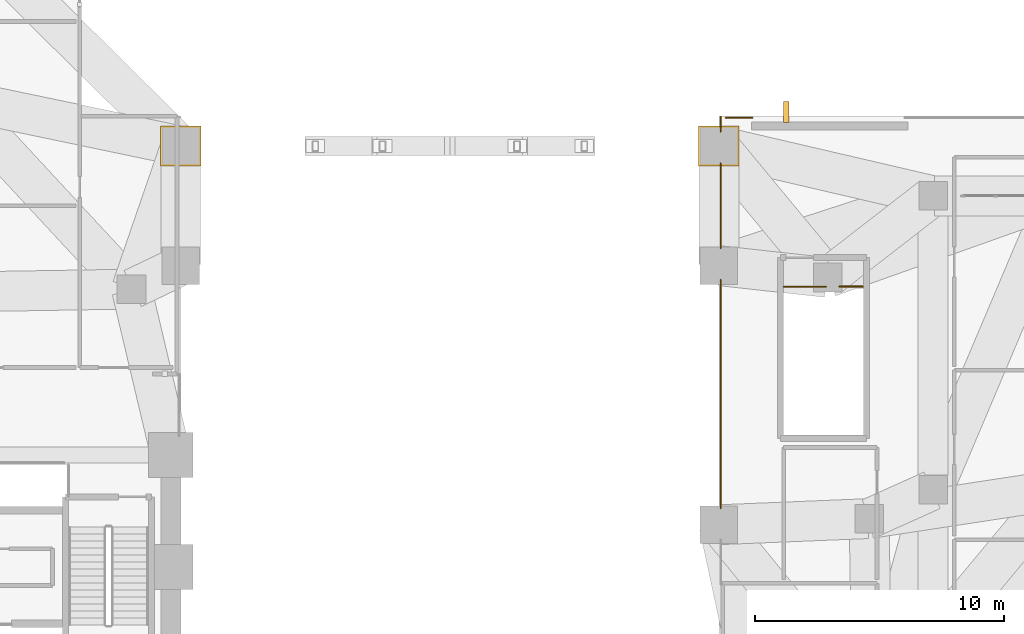
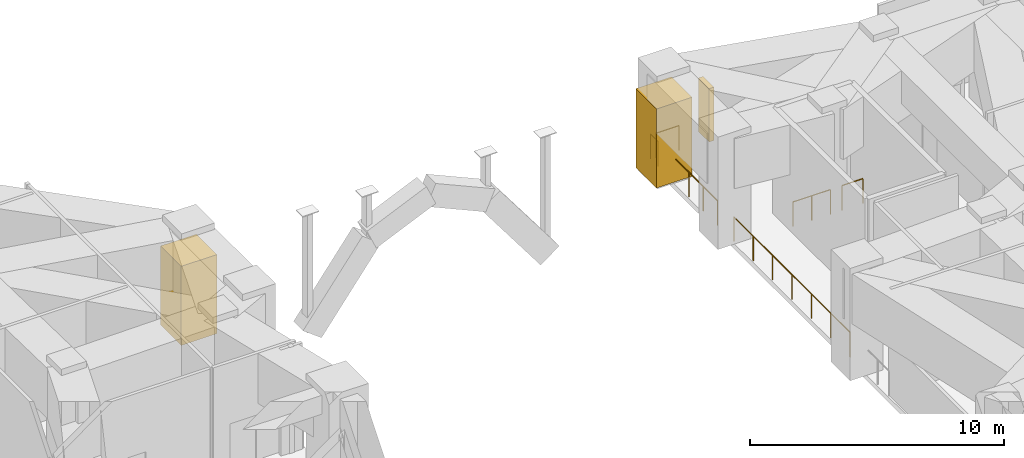
# One storey, part 14 of 15: 6 railings, 2 coverings, 1 shading device.
"""IFC4 building model written with IfcOpenShell, lengths in metres."""

from ifc_helpers import new_model, si_unit, direction, frame, origin, origin_2d, place, context, subcontext, project, spatial, rectangle, circle, extrude, material, layer, layer_set, type_object, element, save


model = new_model("IFC4")

# Units and contexts
model_context = context("Model", 3, precision=1e-05, world=origin(), true_north=direction((0.0, 1.0)))
body_context = subcontext(model_context, "Body", "Model", "MODEL_VIEW")
ifc_project = project(units=[si_unit("LENGTHUNIT", "METRE"), si_unit("AREAUNIT", "SQUARE_METRE"), si_unit("VOLUMEUNIT", "CUBIC_METRE"), si_unit("PLANEANGLEUNIT", "RADIAN"), si_unit("MASSUNIT", "GRAM", prefix="KILO")], contexts=[model_context])

# Site, building, storey
site_placement = place(None, origin())
site = spatial("IfcSite", under=ifc_project, at=site_placement, CompositionType="ELEMENT")
building_placement = place(site_placement, origin())
building = spatial("IfcBuilding", under=site, at=building_placement, Name="Gaonmaruhae Medical Tower", CompositionType="ELEMENT")
storey_placement = place(building_placement, frame((0.0, 0.0, 21.60009765625)))
storey = spatial("IfcBuildingStorey", under=building, at=storey_placement, Name="L04", CompositionType="ELEMENT", Elevation=21.60009765625)

# Coverings
ifc_material_1 = material(Name="Architectural precast column cladding", Category="concrete")
ifc_layer_1 = layer(ifc_material_1, 0.06005859375)
ifc_layer_set_1 = layer_set([ifc_layer_1], Name="Architectural precast column cladding")
covering_type = type_object("IfcCoveringType", Name="CLD-01 Architectural Precast Pier Cladding", PredefinedType="CLADDING", material=ifc_layer_set_1)
for number, where, z_axis, x_axis, name in (
    (1, (36.0, 29.199951171875, 0.10009765625), (0.0, 0.0, 1.0), (1.0, 0.0, 0.0), "L04 Architectural Precast Column Cladding 3"),
    (2, (57.60009765625, 29.199951171875, 0.10009765625), (0.0, 0.0, 1.0), (1.0, 0.0, 0.0), "L04 Architectural Precast Column Cladding 4"),
):
    element("IfcCovering", number, at=place(storey_placement, frame(where, z_axis=z_axis, x_axis=x_axis)), inside=storey, type_object=covering_type, Name=name, PredefinedType="CLADDING", context=body_context, shape_type="SweptSolid", body=[
        extrude(rectangle(XDim=1.6201171875, YDim=1.6201171875, at=origin_2d()), origin(), (0.0, 0.0, 1.0), 3.800048828125),
    ])

# Railings
ifc_material_2 = material(Name="Stainless steel 316L and laminated safety glass", Category="steel")
ifc_layer_2 = layer(ifc_material_2, 0.080078125)
ifc_layer_set_2 = layer_set([ifc_layer_2], Name="Stainless steel 316L and laminated safety glass")
railing_type_1 = type_object("IfcRailingType", Name="GD-120 Outdoor Terrace Safety Glass & Steel Balustrade", PredefinedType="BALUSTRADE", material=ifc_layer_set_2)
railing_1_placement = place(storey_placement, frame((57.669921875, 14.67041015625, 0.0)))
element("IfcRailing", 3, at=railing_1_placement, inside=storey, type_object=railing_type_1, Name="L04 Perimeter Slab Edge Safety Balustrade 36", PredefinedType="BALUSTRADE", context=body_context, shape_type="SweptSolid", body=[
    extrude(circle(Radius=0.02392578125, at=origin_2d()), frame((0.0, 0.0, 1.17578125), z_axis=(0.0, 1.0, 0.0), x_axis=(-1.0, 0.0, 0.0)), (0.0, 0.0, 1.0), 9.154052734375),
    extrude(circle(Radius=0.02099609375, at=origin_2d()), origin(), (0.0, 0.0, 1.0), 1.15185546875),
    extrude(circle(Radius=0.02099609375, at=origin_2d()), frame((0.0, 1.525634765625, 0.0)), (0.0, 0.0, 1.0), 1.15185546875),
    extrude(circle(Radius=0.02099609375, at=origin_2d()), frame((0.0, 3.05126953125, 0.0)), (0.0, 0.0, 1.0), 1.15185546875),
    extrude(circle(Radius=0.02099609375, at=origin_2d()), frame((0.0, 4.5771484375, 0.0)), (0.0, 0.0, 1.0), 1.15185546875),
    extrude(circle(Radius=0.02099609375, at=origin_2d()), frame((0.0, 6.102783203125, 0.0)), (0.0, 0.0, 1.0), 1.15185546875),
    extrude(circle(Radius=0.02099609375, at=origin_2d()), frame((0.0, 7.62841796875, 0.0)), (0.0, 0.0, 1.0), 1.15185546875),
    extrude(circle(Radius=0.02099609375, at=origin_2d()), frame((0.0, 9.154052734375, 0.0)), (0.0, 0.0, 1.0), 1.15185546875),
])
railing_2_placement = place(storey_placement, frame((57.669921875, 25.103515625, 0.0)))
element("IfcRailing", 4, at=railing_2_placement, inside=storey, type_object=railing_type_1, Name="L04 Perimeter Slab Edge Safety Balustrade 37", PredefinedType="BALUSTRADE", context=body_context, shape_type="SweptSolid", body=[
    extrude(circle(Radius=0.02392578125, at=origin_2d()), frame((0.0, 0.0, 1.17578125), z_axis=(0.0, 1.0, 0.0), x_axis=(-1.0, 0.0, 0.0)), (0.0, 0.0, 1.0), 3.397705078125),
    extrude(circle(Radius=0.02099609375, at=origin_2d()), origin(), (0.0, 0.0, 1.0), 1.15185546875),
    extrude(circle(Radius=0.02099609375, at=origin_2d()), frame((0.0, 1.132568359375, 0.0)), (0.0, 0.0, 1.0), 1.15185546875),
    extrude(circle(Radius=0.02099609375, at=origin_2d()), frame((0.0, 2.26513671875, 0.0)), (0.0, 0.0, 1.0), 1.15185546875),
    extrude(circle(Radius=0.02099609375, at=origin_2d()), frame((0.0, 3.397705078125, 0.0)), (0.0, 0.0, 1.0), 1.15185546875),
])
railing_3_placement = place(storey_placement, frame((57.669921875, 29.780517578125, 0.0)))
element("IfcRailing", 5, at=railing_3_placement, inside=storey, type_object=railing_type_1, Name="L04 Perimeter Slab Edge Safety Balustrade 38", PredefinedType="BALUSTRADE", context=body_context, shape_type="SweptSolid", body=[
    extrude(circle(Radius=0.02392578125, at=origin_2d()), frame((0.0, 0.0, 1.17578125), z_axis=(0.0, 1.0, 0.0), x_axis=(-1.0, 0.0, 0.0)), (0.0, 0.0, 1.0), 0.599365234375),
    extrude(circle(Radius=0.02099609375, at=origin_2d()), origin(), (0.0, 0.0, 1.0), 1.15185546875),
    extrude(circle(Radius=0.02099609375, at=origin_2d()), frame((0.0, 0.599365234375, 0.0)), (0.0, 0.0, 1.0), 1.15185546875),
])
railing_4_placement = place(storey_placement, frame((57.879150390625, 30.330078125, 0.0)))
element("IfcRailing", 6, at=railing_4_placement, inside=storey, type_object=railing_type_1, Name="L04 Perimeter Slab Edge Safety Balustrade 39", PredefinedType="BALUSTRADE", context=body_context, shape_type="SweptSolid", body=[
    extrude(circle(Radius=0.02392578125, at=origin_2d()), frame((0.0, 0.0, 1.17578125), z_axis=(1.0, 0.0, 0.0), x_axis=(0.0, 1.0, 0.0)), (0.0, 0.0, 1.0), 1.0576171875),
    extrude(circle(Radius=0.02099609375, at=origin_2d()), origin(), (0.0, 0.0, 1.0), 1.15185546875),
    extrude(circle(Radius=0.02099609375, at=origin_2d()), frame((1.0576171875, 0.0, 0.0)), (0.0, 0.0, 1.0), 1.15185546875),
])

# Shading device
ifc_material_3 = material(Name="Pigmented coral precast concrete C45/55", Category="concrete")
shading_device_type = type_object("IfcShadingDeviceType", Name="SD-FIN2 Podium Vertical Coral Precast Shading Fin", PredefinedType="USERDEFINED", material=ifc_material_3)
shading_device_placement = place(storey_placement, frame((60.300048828125, 30.56494140625, 0.059814453125), z_axis=(0.0, 0.0, 1.0), x_axis=(1.0, 0.0, 0.0)))
element("IfcShadingDevice", 7, at=shading_device_placement, inside=storey, type_object=shading_device_type, Name="L04 Podium Coral Precast Shading Fin PB-N1", ObjectType="FIN", PredefinedType="USERDEFINED", context=body_context, shape_type="SweptSolid", body=[
    extrude(rectangle(XDim=0.219970703125, YDim=0.85009765625, at=origin_2d()), origin(), (0.0, 0.0, 1.0), 2.56494140625),
])

# Railings
ifc_material_4 = material(Name="Stainless steel 304 balustrade", Category="steel")
railing_type_2 = type_object("IfcRailingType", Name="SG-112 Stair Well & Ramp Void Safety Balustrade", PredefinedType="BALUSTRADE", material=ifc_material_4)
railing_5_placement = place(storey_placement, frame((60.199951171875, 23.550048828125, 0.0)))
element("IfcRailing", 8, at=railing_5_placement, inside=storey, type_object=railing_type_2, Name="L04 ST-04 top well guard 1", PredefinedType="BALUSTRADE", context=body_context, shape_type="SweptSolid", body=[
    extrude(circle(Radius=0.02392578125, at=origin_2d()), frame((0.0, 0.0, 1.17578125), z_axis=(1.0, 0.0, 0.0), x_axis=(0.0, 1.0, 0.0)), (0.0, 0.0, 1.0), 1.699951171875),
    extrude(circle(Radius=0.02099609375, at=origin_2d()), origin(), (0.0, 0.0, 1.0), 1.15185546875),
    extrude(circle(Radius=0.02099609375, at=origin_2d()), frame((0.85009765625, 0.0, 0.0)), (0.0, 0.0, 1.0), 1.15185546875),
    extrude(circle(Radius=0.02099609375, at=origin_2d()), frame((1.699951171875, 0.0, 0.0)), (0.0, 0.0, 1.0), 1.15185546875),
])
railing_6_placement = place(storey_placement, frame((62.43115234375, 23.56005859375, 0.0)))
element("IfcRailing", 9, at=railing_6_placement, inside=storey, type_object=railing_type_2, Name="L04 Shaft Edge Safety Guard 41", PredefinedType="BALUSTRADE", context=body_context, shape_type="SweptSolid", body=[
    extrude(circle(Radius=0.02392578125, at=origin_2d()), frame((0.0, 0.0, 1.17578125), z_axis=(1.0, 0.0, 0.0), x_axis=(0.0, 1.0, 0.0)), (0.0, 0.0, 1.0), 0.94873046875),
    extrude(circle(Radius=0.02099609375, at=origin_2d()), origin(), (0.0, 0.0, 1.0), 1.15185546875),
    extrude(circle(Radius=0.02099609375, at=origin_2d()), frame((0.94873046875, 0.0, 0.0)), (0.0, 0.0, 1.0), 1.15185546875),
])

save(model, "model.ifc")
